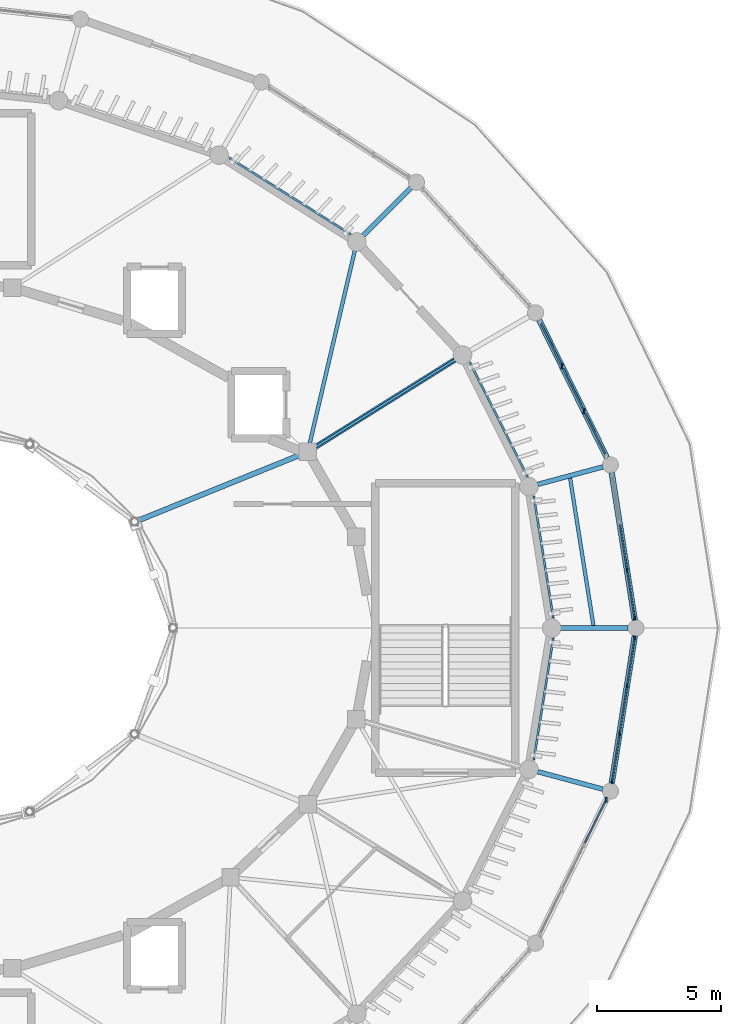
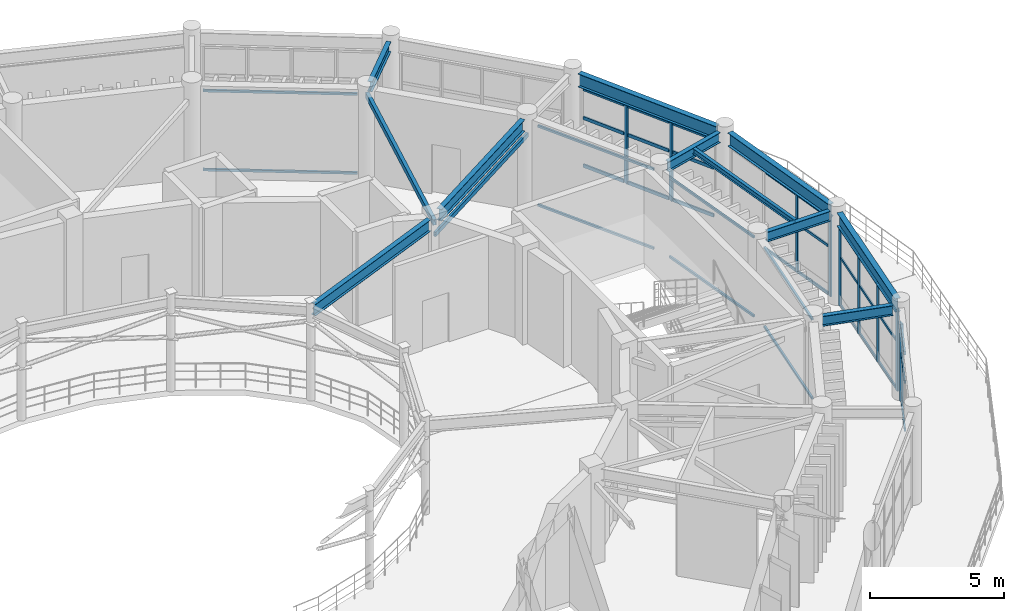
# One storey, part 16 of 45: 46 members, 10 beams, 4 elements without a shape of their own.
"""IFC4 building model written with IfcOpenShell, lengths in metres."""

from ifc_helpers import new_model, si_unit, direction, frame, origin, origin_2d, place, context, subcontext, project, spatial, rectangle, hollow_rectangle, i_section, extrude, material, material_profile, profile_set, type_object, element, aggregate, save


model = new_model("IFC4")

# Units and contexts
model_context = context("Model", 3, precision=1e-05, world=origin(), true_north=direction((0.0, 1.0)))
body_context = subcontext(model_context, "Body", "Model", "MODEL_VIEW")
ifc_project = project(units=[si_unit("LENGTHUNIT", "METRE"), si_unit("AREAUNIT", "SQUARE_METRE"), si_unit("VOLUMEUNIT", "CUBIC_METRE"), si_unit("PLANEANGLEUNIT", "RADIAN"), si_unit("MASSUNIT", "GRAM", prefix="KILO")], contexts=[model_context])

# Site, building, storey
site_placement = place(None, origin())
site = spatial("IfcSite", under=ifc_project, at=site_placement, CompositionType="ELEMENT")
building_placement = place(site_placement, origin())
building = spatial("IfcBuilding", under=site, at=building_placement, Name="Cinderbank Siding Concert Hall", CompositionType="ELEMENT")
storey_placement = place(building_placement, frame((0.0, 0.0, 19.199951171875)))
storey = spatial("IfcBuildingStorey", under=building, at=storey_placement, Name="L05", CompositionType="ELEMENT", Elevation=19.199951171875)

# Beams
ifc_material_1 = material(Name="Structural steel AS/NZS 3679.1 Grade 350 (340 MPa)", Category="steel")
ifc_material_profile_1 = material_profile(ifc_material_1, i_section(OverallWidth=0.19091796875, OverallDepth=0.46044921875, WebThickness=0.010009765625, FlangeThickness=0.01611328125, at=origin_2d()), Name="460UB82.1", Category="LoadBearing")
ifc_profile_set_1 = profile_set([ifc_material_profile_1], Name="Structural steel AS/NZS 3679.1 Grade 350 (340 MPa)")
beam_type_1 = type_object("IfcBeamType", Name="BM-UB460H 460UB82.1", PredefinedType="BEAM", material=ifc_profile_set_1)
for number, where, z_axis, x_axis, name in (
    (1, (149.1669921875, 44.0, 4.001953125), (1.0, 0.0, 0.0), (0.0, 1.0, 0.0), "L05 Beam BM-UB460H #794"),
    (2, (148.2412109375, 49.7890625, 4.001953125), (0.965934410535, 0.258787006135, 0.0), (-0.258787006135, 0.965934410535, 0.0), "L05 Beam BM-UB460H #795"),
    (3, (141.2099609375, 59.81591796875, 4.001953125), (0.707151723938, 0.707061835578, 0.0), (-0.707061835578, 0.707151723938, 0.0), "L05 Beam BM-UB460H #798"),
    (4, (148.2412109375, 38.2109375, 4.001953125), (0.965934410535, -0.258787006135, 0.0), (0.258787006135, 0.965934410535, 0.0), "L05 Beam BM-UB460H #816"),
):
    element("IfcBeam", number, at=place(storey_placement, frame(where, z_axis=z_axis, x_axis=x_axis)), inside=storey, type_object=beam_type_1, Name=name, PredefinedType="BEAM", context=body_context, shape_type="SweptSolid", body=[
        extrude(i_section(OverallWidth=0.19091796875, OverallDepth=0.46044921875, WebThickness=0.010009765625, FlangeThickness=0.01611328125, at=origin_2d()), origin(), (0.0, 0.0, 1.0), 2.716064453125),
    ])
ifc_material_profile_2 = material_profile(ifc_material_1, i_section(OverallWidth=0.208984375, OverallDepth=0.5283203125, WebThickness=0.009521484375, FlangeThickness=0.01318359375, at=origin_2d()), Name="530UB82.0", Category="LoadBearing")
ifc_profile_set_2 = profile_set([ifc_material_profile_2], Name="Structural steel AS/NZS 3679.1 Grade 350 (340 MPa)")
beam_type_2 = type_object("IfcBeamType", Name="BM-UB530 530UB82.0", PredefinedType="BEAM", material=ifc_profile_set_2)
beam_1_placement = place(storey_placement, frame((132.145263671875, 48.332763671875, 3.988037109375), z_axis=(0.926787327391, 0.375586541008, 0.0), x_axis=(-0.375586541008, 0.926787327391, 0.0)))
element("IfcBeam", 5, at=beam_1_placement, inside=storey, type_object=beam_type_2, Name="L05 Beam BM-UB530 #210", PredefinedType="BEAM", context=body_context, shape_type="SweptSolid", body=[
    extrude(i_section(OverallWidth=0.208984375, OverallDepth=0.5283203125, WebThickness=0.009521484375, FlangeThickness=0.01318359375, at=origin_2d()), origin(), (0.0, 0.0, 1.0), 7.026123046875),
])
ifc_material_profile_3 = material_profile(ifc_material_1, i_section(OverallWidth=0.208984375, OverallDepth=0.532958984375, WebThickness=0.01025390625, FlangeThickness=0.015625, at=origin_2d()), Name="530UB92.4", Category="LoadBearing")
ifc_profile_set_3 = profile_set([ifc_material_profile_3], Name="Structural steel AS/NZS 3679.1 Grade 350 (340 MPa)")
beam_type_3 = type_object("IfcBeamType", Name="BM-UB530H 530UB92.4", PredefinedType="BEAM", material=ifc_profile_set_3)
beam_2_placement = place(storey_placement, frame((139.26416015625, 51.281494140625, 4.015625), z_axis=(0.84781868984, 0.530286214376, 0.0), x_axis=(-0.530286214376, 0.84781868984, 0.0)))
element("IfcBeam", 6, at=beam_2_placement, inside=storey, type_object=beam_type_3, Name="L05 Beam BM-UB530H #783", PredefinedType="BEAM", context=body_context, shape_type="SweptSolid", body=[
    extrude(i_section(OverallWidth=0.208984375, OverallDepth=0.532958984375, WebThickness=0.01025390625, FlangeThickness=0.015625, at=origin_2d()), origin(), (0.0, 0.0, 1.0), 6.645263671875),
])
ifc_material_profile_4 = material_profile(ifc_material_1, i_section(OverallWidth=0.22802734375, OverallDepth=0.60693359375, WebThickness=0.01123046875, FlangeThickness=0.017333984375, at=origin_2d()), Name="610UB113", Category="LoadBearing")
ifc_profile_set_4 = profile_set([ifc_material_profile_4], Name="Structural steel AS/NZS 3679.1 Grade 350 (340 MPa)")
beam_type_4 = type_object("IfcBeamType", Name="BM-UB610M 610UB113", PredefinedType="BEAM", material=ifc_profile_set_4)
beam_3_placement = place(storey_placement, frame((152.15087890625, 44.313232421875, 3.928466796875), z_axis=(-0.154637914322, 0.987971211855, 0.0), x_axis=(-0.987971211855, -0.154637914322, 0.0)))
element("IfcBeam", 7, at=beam_3_placement, inside=storey, type_object=beam_type_4, Name="L05 Beam BM-UB610M #759", PredefinedType="BEAM", context=body_context, shape_type="SweptSolid", body=[
    extrude(i_section(OverallWidth=0.22802734375, OverallDepth=0.60693359375, WebThickness=0.01123046875, FlangeThickness=0.017333984375, at=origin_2d()), origin(), (0.0, 0.0, 1.0), 6.02001953125),
])
beam_4_placement = place(storey_placement, frame((151.031005859375, 50.8583984375, 3.928466796875), z_axis=(-0.441813843649, 0.897106753714, 0.0), x_axis=(-0.897106753714, -0.441813843649, 0.0)))
element("IfcBeam", 8, at=beam_4_placement, inside=storey, type_object=beam_type_4, Name="L05 Beam BM-UB610M #760", PredefinedType="BEAM", context=body_context, shape_type="SweptSolid", body=[
    extrude(i_section(OverallWidth=0.22802734375, OverallDepth=0.60693359375, WebThickness=0.01123046875, FlangeThickness=0.017333984375, at=origin_2d()), origin(), (0.0, 0.0, 1.0), 6.194580078125),
])
beam_5_placement = place(storey_placement, frame((151.219970703125, 37.7392578125, 3.928466796875), z_axis=(0.154637914322, 0.987971211855, 0.0), x_axis=(-0.987971211855, 0.154637914322, 0.0)))
element("IfcBeam", 9, at=beam_5_placement, inside=storey, type_object=beam_type_4, Name="L05 Beam BM-UB610M #782", PredefinedType="BEAM", context=body_context, shape_type="SweptSolid", body=[
    extrude(i_section(OverallWidth=0.22802734375, OverallDepth=0.60693359375, WebThickness=0.01123046875, FlangeThickness=0.017333984375, at=origin_2d()), origin(), (0.0, 0.0, 1.0), 6.02001953125),
])

# Curtain wall, members
ifc_material_2 = material(Name="Anodised aluminium alloy 6063-T6", Category="aluminium")
curtain_wall_type_1 = type_object("IfcCurtainWallType", Name="CW-09 Unitised Acoustic Curtain Wall 8000x3500", PredefinedType="NOTDEFINED", material=ifc_material_2)
curtain_wall_1_placement = place(storey_placement, origin())
curtain_wall_1 = element("IfcCurtainWall", 10, at=curtain_wall_1_placement, inside=storey, type_object=curtain_wall_type_1, Name="L05 Curtain Wall CW-09 #72", PredefinedType="NOTDEFINED")
ifc_material_profile_5 = material_profile(ifc_material_2, rectangle(XDim=0.06005859375, YDim=0.159912109375, at=origin_2d()), Name="ALU-MULL-60x160", Category="LoadBearing")
ifc_profile_set_5 = profile_set([ifc_material_profile_5], Name="Anodised aluminium alloy 6063-T6")
member_type_1 = type_object("IfcMemberType", Name="CW-ML1 Mullion 60x160", PredefinedType="MULLION", material=ifc_profile_set_5)
member_1_placement = place(storey_placement, frame((152.1396484375, 44.38525390625, 0.0), z_axis=(0.0, 0.0, 1.0), x_axis=(1.0, 0.0, 0.0)))
member_1 = element("IfcMember", 11, at=member_1_placement, type_object=member_type_1, Name="CW-L05-072 Mullion 0", PredefinedType="MULLION", context=body_context, shape_type="SweptSolid", body=[
    extrude(rectangle(XDim=0.06005859375, YDim=0.159912109375, at=origin_2d()), origin(), (0.0, 0.0, 1.0), 3.610107421875),
])
member_2_placement = place(storey_placement, frame((151.8369140625, 46.31982421875, 0.0), z_axis=(0.0, 0.0, 1.0), x_axis=(1.0, 0.0, 0.0)))
member_2 = element("IfcMember", 12, at=member_2_placement, type_object=member_type_1, Name="CW-L05-072 Mullion 1", PredefinedType="MULLION", context=body_context, shape_type="SweptSolid", body=[
    extrude(rectangle(XDim=0.06005859375, YDim=0.159912109375, at=origin_2d()), origin(), (0.0, 0.0, 1.0), 3.610107421875),
])

curtain_wall_type_2 = type_object("IfcCurtainWallType", Name="CW-12 Unitised Acoustic Curtain Wall 5800x3500", PredefinedType="NOTDEFINED", material=ifc_material_2)
curtain_wall_2_placement = place(storey_placement, origin())
curtain_wall_2 = element("IfcCurtainWall", 13, at=curtain_wall_2_placement, inside=storey, type_object=curtain_wall_type_2, Name="L05 Curtain Wall CW-12 #92", PredefinedType="NOTDEFINED")
member_3_placement = place(storey_placement, frame((151.231201171875, 37.811279296875, 0.0), z_axis=(0.0, 0.0, 1.0), x_axis=(1.0, 0.0, 0.0)))
member_3 = element("IfcMember", 14, at=member_3_placement, type_object=member_type_1, Name="CW-L05-092 Mullion 0", PredefinedType="MULLION", context=body_context, shape_type="SweptSolid", body=[
    extrude(rectangle(XDim=0.06005859375, YDim=0.159912109375, at=origin_2d()), origin(), (0.0, 0.0, 1.0), 3.610107421875),
])
member_4_placement = place(storey_placement, frame((151.5341796875, 39.745849609375, 0.0), z_axis=(0.0, 0.0, 1.0), x_axis=(1.0, 0.0, 0.0)))
member_4 = element("IfcMember", 15, at=member_4_placement, type_object=member_type_1, Name="CW-L05-092 Mullion 1", PredefinedType="MULLION", context=body_context, shape_type="SweptSolid", body=[
    extrude(rectangle(XDim=0.06005859375, YDim=0.159912109375, at=origin_2d()), origin(), (0.0, 0.0, 1.0), 3.610107421875),
])
member_5_placement = place(storey_placement, frame((151.8369140625, 41.68017578125, 0.0), z_axis=(0.0, 0.0, 1.0), x_axis=(1.0, 0.0, 0.0)))
member_5 = element("IfcMember", 16, at=member_5_placement, type_object=member_type_1, Name="CW-L05-092 Mullion 2", PredefinedType="MULLION", context=body_context, shape_type="SweptSolid", body=[
    extrude(rectangle(XDim=0.06005859375, YDim=0.159912109375, at=origin_2d()), origin(), (0.0, 0.0, 1.0), 3.610107421875),
])
member_6_placement = place(storey_placement, frame((152.1396484375, 43.61474609375, 0.0), z_axis=(0.0, 0.0, 1.0), x_axis=(1.0, 0.0, 0.0)))
member_6 = element("IfcMember", 17, at=member_6_placement, type_object=member_type_1, Name="CW-L05-092 Mullion 3", PredefinedType="MULLION", context=body_context, shape_type="SweptSolid", body=[
    extrude(rectangle(XDim=0.06005859375, YDim=0.159912109375, at=origin_2d()), origin(), (0.0, 0.0, 1.0), 3.610107421875),
])

curtain_wall_type_3 = type_object("IfcCurtainWallType", Name="CW-10 Unitised Acoustic Curtain Wall 7200x3500", PredefinedType="NOTDEFINED", material=ifc_material_2)
curtain_wall_3_placement = place(storey_placement, origin())
curtain_wall_3 = element("IfcCurtainWall", 18, at=curtain_wall_3_placement, inside=storey, type_object=curtain_wall_type_3, Name="L05 Curtain Wall CW-10 #73", PredefinedType="NOTDEFINED")
ifc_material_profile_6 = material_profile(ifc_material_2, rectangle(XDim=0.06494140625, YDim=0.199951171875, at=origin_2d()), Name="ALU-MULL-65x200", Category="LoadBearing")
ifc_profile_set_6 = profile_set([ifc_material_profile_6], Name="Anodised aluminium alloy 6063-T6")
member_type_2 = type_object("IfcMemberType", Name="CW-ML2 Mullion 65x200", PredefinedType="MULLION", material=ifc_profile_set_6)
member_7_placement = place(storey_placement, frame((150.10791015625, 52.732666015625, 0.0), z_axis=(0.0, 0.0, 1.0), x_axis=(1.0, 0.0, 0.0)))
member_7 = element("IfcMember", 19, at=member_7_placement, type_object=member_type_2, Name="CW-L05-073 Mullion 1", PredefinedType="MULLION", context=body_context, shape_type="SweptSolid", body=[
    extrude(rectangle(XDim=0.06494140625, YDim=0.199951171875, at=origin_2d()), origin(), (0.0, 0.0, 1.0), 3.610107421875),
])
member_8_placement = place(storey_placement, frame((149.217041015625, 54.54150390625, 0.0), z_axis=(0.0, 0.0, 1.0), x_axis=(1.0, 0.0, 0.0)))
member_8 = element("IfcMember", 20, at=member_8_placement, type_object=member_type_2, Name="CW-L05-073 Mullion 2", PredefinedType="MULLION", context=body_context, shape_type="SweptSolid", body=[
    extrude(rectangle(XDim=0.06494140625, YDim=0.199951171875, at=origin_2d()), origin(), (0.0, 0.0, 1.0), 3.610107421875),
])

# Curtain wall, member
curtain_wall_type_4 = type_object("IfcCurtainWallType", Name="CW-11 Unitised Acoustic Curtain Wall 6600x3500", PredefinedType="NOTDEFINED", material=ifc_material_2)
curtain_wall_4_placement = place(storey_placement, origin())
curtain_wall_4 = element("IfcCurtainWall", 21, at=curtain_wall_4_placement, inside=storey, type_object=curtain_wall_type_4, Name="L05 Curtain Wall CW-11 #91", PredefinedType="NOTDEFINED")
member_9_placement = place(storey_placement, frame((150.998779296875, 37.076171875, 0.0), z_axis=(0.0, 0.0, 1.0), x_axis=(1.0, 0.0, 0.0)))
member_9 = element("IfcMember", 22, at=member_9_placement, type_object=member_type_2, Name="CW-L05-091 Mullion 3", PredefinedType="MULLION", context=body_context, shape_type="SweptSolid", body=[
    extrude(rectangle(XDim=0.06494140625, YDim=0.199951171875, at=origin_2d()), origin(), (0.0, 0.0, 1.0), 3.610107421875),
])

# Member
ifc_material_profile_7 = material_profile(ifc_material_2, rectangle(XDim=0.06005859375, YDim=0.1201171875, at=origin_2d()), Name="ALU-TRAN-60x120", Category="LoadBearing")
ifc_profile_set_7 = profile_set([ifc_material_profile_7], Name="Anodised aluminium alloy 6063-T6")
member_type_3 = type_object("IfcMemberType", Name="CW-TR1 Transom 60x120", PredefinedType="USERDEFINED", material=ifc_profile_set_7)
member_10_placement = place(storey_placement, frame((152.12451171875, 44.48193359375, 0.06005859375), z_axis=(-0.154617780003, 0.987974363082, 0.0), x_axis=(-0.987974363082, -0.154617780003, 0.0)))
member_10 = element("IfcMember", 23, at=member_10_placement, type_object=member_type_3, Name="CW-L05-072 Transom 0-0", ObjectType="TRANSOM", PredefinedType="USERDEFINED", context=body_context, shape_type="SweptSolid", body=[
    extrude(rectangle(XDim=0.06005859375, YDim=0.1201171875, at=origin_2d()), origin(), (0.0, 0.0, 1.0), 1.76220703125),
])

member_11_placement = place(storey_placement, frame((152.12451171875, 44.48193359375, 2.23828125), z_axis=(-0.154617780003, 0.987974363082, 0.0), x_axis=(-0.987974363082, -0.154617780003, 0.0)))
member_11 = element("IfcMember", 24, at=member_11_placement, type_object=member_type_3, Name="CW-L05-072 Transom 0-1", ObjectType="TRANSOM", PredefinedType="USERDEFINED", context=body_context, shape_type="SweptSolid", body=[
    extrude(rectangle(XDim=0.06005859375, YDim=0.1201171875, at=origin_2d()), origin(), (0.0, 0.0, 1.0), 1.76220703125),
])

member_12_placement = place(storey_placement, frame((152.12451171875, 44.48193359375, 3.550048828125), z_axis=(-0.154617780003, 0.987974363082, 0.0), x_axis=(-0.987974363082, -0.154617780003, 0.0)))
member_12 = element("IfcMember", 25, at=member_12_placement, type_object=member_type_3, Name="CW-L05-072 Transom 0-2", ObjectType="TRANSOM", PredefinedType="USERDEFINED", context=body_context, shape_type="SweptSolid", body=[
    extrude(rectangle(XDim=0.06005859375, YDim=0.1201171875, at=origin_2d()), origin(), (0.0, 0.0, 1.0), 1.76220703125),
])

member_13_placement = place(storey_placement, frame((151.82177734375, 46.41650390625, 0.06005859375), z_axis=(-0.154617780003, 0.987974363082, 0.0), x_axis=(-0.987974363082, -0.154617780003, 0.0)))
member_13 = element("IfcMember", 26, at=member_13_placement, type_object=member_type_3, Name="CW-L05-072 Transom 1-0", ObjectType="TRANSOM", PredefinedType="USERDEFINED", context=body_context, shape_type="SweptSolid", body=[
    extrude(rectangle(XDim=0.06005859375, YDim=0.1201171875, at=origin_2d()), origin(), (0.0, 0.0, 1.0), 1.76220703125),
])

member_14_placement = place(storey_placement, frame((151.82177734375, 46.41650390625, 2.23828125), z_axis=(-0.154617780003, 0.987974363082, 0.0), x_axis=(-0.987974363082, -0.154617780003, 0.0)))
member_14 = element("IfcMember", 27, at=member_14_placement, type_object=member_type_3, Name="CW-L05-072 Transom 1-1", ObjectType="TRANSOM", PredefinedType="USERDEFINED", context=body_context, shape_type="SweptSolid", body=[
    extrude(rectangle(XDim=0.06005859375, YDim=0.1201171875, at=origin_2d()), origin(), (0.0, 0.0, 1.0), 1.76220703125),
])

member_15_placement = place(storey_placement, frame((151.82177734375, 46.41650390625, 3.550048828125), z_axis=(-0.154617780003, 0.987974363082, 0.0), x_axis=(-0.987974363082, -0.154617780003, 0.0)))
member_15 = element("IfcMember", 28, at=member_15_placement, type_object=member_type_3, Name="CW-L05-072 Transom 1-2", ObjectType="TRANSOM", PredefinedType="USERDEFINED", context=body_context, shape_type="SweptSolid", body=[
    extrude(rectangle(XDim=0.06005859375, YDim=0.1201171875, at=origin_2d()), origin(), (0.0, 0.0, 1.0), 1.76220703125),
])

aggregate(curtain_wall_1, [member_1, member_2, member_10, member_11, member_12, member_13, member_14, member_15])

member_16_placement = place(storey_placement, frame((151.24658203125, 37.907958984375, 0.06005859375), z_axis=(0.154617780003, 0.987974363082, 0.0), x_axis=(-0.987974363082, 0.154617780003, 0.0)))
member_16 = element("IfcMember", 29, at=member_16_placement, type_object=member_type_3, Name="CW-L05-092 Transom 0-0", ObjectType="TRANSOM", PredefinedType="USERDEFINED", context=body_context, shape_type="SweptSolid", body=[
    extrude(rectangle(XDim=0.06005859375, YDim=0.1201171875, at=origin_2d()), origin(), (0.0, 0.0, 1.0), 1.76220703125),
])

member_17_placement = place(storey_placement, frame((151.24658203125, 37.907958984375, 2.23828125), z_axis=(0.154617780003, 0.987974363082, 0.0), x_axis=(-0.987974363082, 0.154617780003, 0.0)))
member_17 = element("IfcMember", 30, at=member_17_placement, type_object=member_type_3, Name="CW-L05-092 Transom 0-1", ObjectType="TRANSOM", PredefinedType="USERDEFINED", context=body_context, shape_type="SweptSolid", body=[
    extrude(rectangle(XDim=0.06005859375, YDim=0.1201171875, at=origin_2d()), origin(), (0.0, 0.0, 1.0), 1.76220703125),
])

member_18_placement = place(storey_placement, frame((151.24658203125, 37.907958984375, 3.550048828125), z_axis=(0.154617780003, 0.987974363082, 0.0), x_axis=(-0.987974363082, 0.154617780003, 0.0)))
member_18 = element("IfcMember", 31, at=member_18_placement, type_object=member_type_3, Name="CW-L05-092 Transom 0-2", ObjectType="TRANSOM", PredefinedType="USERDEFINED", context=body_context, shape_type="SweptSolid", body=[
    extrude(rectangle(XDim=0.06005859375, YDim=0.1201171875, at=origin_2d()), origin(), (0.0, 0.0, 1.0), 1.76220703125),
])

member_19_placement = place(storey_placement, frame((151.54931640625, 39.842529296875, 0.06005859375), z_axis=(0.154617780003, 0.987974363082, 0.0), x_axis=(-0.987974363082, 0.154617780003, 0.0)))
member_19 = element("IfcMember", 32, at=member_19_placement, type_object=member_type_3, Name="CW-L05-092 Transom 1-0", ObjectType="TRANSOM", PredefinedType="USERDEFINED", context=body_context, shape_type="SweptSolid", body=[
    extrude(rectangle(XDim=0.06005859375, YDim=0.1201171875, at=origin_2d()), origin(), (0.0, 0.0, 1.0), 1.76220703125),
])

member_20_placement = place(storey_placement, frame((151.54931640625, 39.842529296875, 2.23828125), z_axis=(0.154617780003, 0.987974363082, 0.0), x_axis=(-0.987974363082, 0.154617780003, 0.0)))
member_20 = element("IfcMember", 33, at=member_20_placement, type_object=member_type_3, Name="CW-L05-092 Transom 1-1", ObjectType="TRANSOM", PredefinedType="USERDEFINED", context=body_context, shape_type="SweptSolid", body=[
    extrude(rectangle(XDim=0.06005859375, YDim=0.1201171875, at=origin_2d()), origin(), (0.0, 0.0, 1.0), 1.76220703125),
])

member_21_placement = place(storey_placement, frame((151.54931640625, 39.842529296875, 3.550048828125), z_axis=(0.154617780003, 0.987974363082, 0.0), x_axis=(-0.987974363082, 0.154617780003, 0.0)))
member_21 = element("IfcMember", 34, at=member_21_placement, type_object=member_type_3, Name="CW-L05-092 Transom 1-2", ObjectType="TRANSOM", PredefinedType="USERDEFINED", context=body_context, shape_type="SweptSolid", body=[
    extrude(rectangle(XDim=0.06005859375, YDim=0.1201171875, at=origin_2d()), origin(), (0.0, 0.0, 1.0), 1.76220703125),
])

member_22_placement = place(storey_placement, frame((151.85205078125, 41.777099609375, 0.06005859375), z_axis=(0.154617780003, 0.987974363082, 0.0), x_axis=(-0.987974363082, 0.154617780003, 0.0)))
member_22 = element("IfcMember", 35, at=member_22_placement, type_object=member_type_3, Name="CW-L05-092 Transom 2-0", ObjectType="TRANSOM", PredefinedType="USERDEFINED", context=body_context, shape_type="SweptSolid", body=[
    extrude(rectangle(XDim=0.06005859375, YDim=0.1201171875, at=origin_2d()), origin(), (0.0, 0.0, 1.0), 1.76220703125),
])

member_23_placement = place(storey_placement, frame((151.85205078125, 41.777099609375, 2.23828125), z_axis=(0.154617780003, 0.987974363082, 0.0), x_axis=(-0.987974363082, 0.154617780003, 0.0)))
member_23 = element("IfcMember", 36, at=member_23_placement, type_object=member_type_3, Name="CW-L05-092 Transom 2-1", ObjectType="TRANSOM", PredefinedType="USERDEFINED", context=body_context, shape_type="SweptSolid", body=[
    extrude(rectangle(XDim=0.06005859375, YDim=0.1201171875, at=origin_2d()), origin(), (0.0, 0.0, 1.0), 1.76220703125),
])

member_24_placement = place(storey_placement, frame((151.85205078125, 41.777099609375, 3.550048828125), z_axis=(0.154617780003, 0.987974363082, 0.0), x_axis=(-0.987974363082, 0.154617780003, 0.0)))
member_24 = element("IfcMember", 37, at=member_24_placement, type_object=member_type_3, Name="CW-L05-092 Transom 2-2", ObjectType="TRANSOM", PredefinedType="USERDEFINED", context=body_context, shape_type="SweptSolid", body=[
    extrude(rectangle(XDim=0.06005859375, YDim=0.1201171875, at=origin_2d()), origin(), (0.0, 0.0, 1.0), 1.76220703125),
])

aggregate(curtain_wall_2, [member_3, member_4, member_5, member_6, member_16, member_17, member_18, member_19, member_20, member_21, member_22, member_23, member_24])

ifc_material_profile_8 = material_profile(ifc_material_2, rectangle(XDim=0.06494140625, YDim=0.14990234375, at=origin_2d()), Name="ALU-TRAN-65x150", Category="LoadBearing")
ifc_profile_set_8 = profile_set([ifc_material_profile_8], Name="Anodised aluminium alloy 6063-T6")
member_type_4 = type_object("IfcMemberType", Name="CW-TR2 Transom 65x150", PredefinedType="USERDEFINED", material=ifc_profile_set_8)
member_25_placement = place(storey_placement, frame((150.9541015625, 51.014404296875, 0.06005859375), z_axis=(-0.441877297725, 0.897075500588, 0.0), x_axis=(-0.897075500588, -0.441877297725, 0.0)))
member_25 = element("IfcMember", 38, at=member_25_placement, type_object=member_type_4, Name="CW-L05-073 Transom 0-0", ObjectType="TRANSOM", PredefinedType="USERDEFINED", context=body_context, shape_type="SweptSolid", body=[
    extrude(rectangle(XDim=0.06494140625, YDim=0.14990234375, at=origin_2d()), origin(), (0.0, 0.0, 1.0), 1.814453125),
])

member_26_placement = place(storey_placement, frame((150.9541015625, 51.014404296875, 2.23828125), z_axis=(-0.441877297725, 0.897075500588, 0.0), x_axis=(-0.897075500588, -0.441877297725, 0.0)))
member_26 = element("IfcMember", 39, at=member_26_placement, type_object=member_type_4, Name="CW-L05-073 Transom 0-1", ObjectType="TRANSOM", PredefinedType="USERDEFINED", context=body_context, shape_type="SweptSolid", body=[
    extrude(rectangle(XDim=0.06494140625, YDim=0.14990234375, at=origin_2d()), origin(), (0.0, 0.0, 1.0), 1.814453125),
])

member_27_placement = place(storey_placement, frame((150.9541015625, 51.014404296875, 3.550048828125), z_axis=(-0.441877297725, 0.897075500588, 0.0), x_axis=(-0.897075500588, -0.441877297725, 0.0)))
member_27 = element("IfcMember", 40, at=member_27_placement, type_object=member_type_4, Name="CW-L05-073 Transom 0-2", ObjectType="TRANSOM", PredefinedType="USERDEFINED", context=body_context, shape_type="SweptSolid", body=[
    extrude(rectangle(XDim=0.06494140625, YDim=0.14990234375, at=origin_2d()), origin(), (0.0, 0.0, 1.0), 1.814453125),
])

member_28_placement = place(storey_placement, frame((150.0634765625, 52.822998046875, 0.06005859375), z_axis=(-0.441823966303, 0.897101768363, 0.0), x_axis=(-0.897101768363, -0.441823966303, 0.0)))
member_28 = element("IfcMember", 41, at=member_28_placement, type_object=member_type_4, Name="CW-L05-073 Transom 1-0", ObjectType="TRANSOM", PredefinedType="USERDEFINED", context=body_context, shape_type="SweptSolid", body=[
    extrude(rectangle(XDim=0.06494140625, YDim=0.14990234375, at=origin_2d()), origin(), (0.0, 0.0, 1.0), 1.814697265625),
])

member_29_placement = place(storey_placement, frame((150.0634765625, 52.822998046875, 2.23828125), z_axis=(-0.441823966303, 0.897101768363, 0.0), x_axis=(-0.897101768363, -0.441823966303, 0.0)))
member_29 = element("IfcMember", 42, at=member_29_placement, type_object=member_type_4, Name="CW-L05-073 Transom 1-1", ObjectType="TRANSOM", PredefinedType="USERDEFINED", context=body_context, shape_type="SweptSolid", body=[
    extrude(rectangle(XDim=0.06494140625, YDim=0.14990234375, at=origin_2d()), origin(), (0.0, 0.0, 1.0), 1.814697265625),
])

member_30_placement = place(storey_placement, frame((150.0634765625, 52.822998046875, 3.550048828125), z_axis=(-0.441823966303, 0.897101768363, 0.0), x_axis=(-0.897101768363, -0.441823966303, 0.0)))
member_30 = element("IfcMember", 43, at=member_30_placement, type_object=member_type_4, Name="CW-L05-073 Transom 1-2", ObjectType="TRANSOM", PredefinedType="USERDEFINED", context=body_context, shape_type="SweptSolid", body=[
    extrude(rectangle(XDim=0.06494140625, YDim=0.14990234375, at=origin_2d()), origin(), (0.0, 0.0, 1.0), 1.814697265625),
])

member_31_placement = place(storey_placement, frame((149.172607421875, 54.6318359375, 0.06005859375), z_axis=(-0.441823966303, 0.897101768363, 0.0), x_axis=(-0.897101768363, -0.441823966303, 0.0)))
member_31 = element("IfcMember", 44, at=member_31_placement, type_object=member_type_4, Name="CW-L05-073 Transom 2-0", ObjectType="TRANSOM", PredefinedType="USERDEFINED", context=body_context, shape_type="SweptSolid", body=[
    extrude(rectangle(XDim=0.06494140625, YDim=0.14990234375, at=origin_2d()), origin(), (0.0, 0.0, 1.0), 1.814697265625),
])

member_32_placement = place(storey_placement, frame((149.172607421875, 54.6318359375, 2.23828125), z_axis=(-0.441823966303, 0.897101768363, 0.0), x_axis=(-0.897101768363, -0.441823966303, 0.0)))
member_32 = element("IfcMember", 45, at=member_32_placement, type_object=member_type_4, Name="CW-L05-073 Transom 2-1", ObjectType="TRANSOM", PredefinedType="USERDEFINED", context=body_context, shape_type="SweptSolid", body=[
    extrude(rectangle(XDim=0.06494140625, YDim=0.14990234375, at=origin_2d()), origin(), (0.0, 0.0, 1.0), 1.814697265625),
])

member_33_placement = place(storey_placement, frame((149.172607421875, 54.6318359375, 3.550048828125), z_axis=(-0.441823966303, 0.897101768363, 0.0), x_axis=(-0.897101768363, -0.441823966303, 0.0)))
member_33 = element("IfcMember", 46, at=member_33_placement, type_object=member_type_4, Name="CW-L05-073 Transom 2-2", ObjectType="TRANSOM", PredefinedType="USERDEFINED", context=body_context, shape_type="SweptSolid", body=[
    extrude(rectangle(XDim=0.06494140625, YDim=0.14990234375, at=origin_2d()), origin(), (0.0, 0.0, 1.0), 1.814697265625),
])

aggregate(curtain_wall_3, [member_7, member_8, member_25, member_26, member_27, member_28, member_29, member_30, member_31, member_32, member_33])

member_34_placement = place(storey_placement, frame((150.15234375, 35.35791015625, 0.06005859375), z_axis=(0.441877297725, 0.897075500588, 0.0), x_axis=(-0.897075500588, 0.441877297725, 0.0)))
member_34 = element("IfcMember", 47, at=member_34_placement, type_object=member_type_4, Name="CW-L05-091 Transom 2-0", ObjectType="TRANSOM", PredefinedType="USERDEFINED", context=body_context, shape_type="SweptSolid", body=[
    extrude(rectangle(XDim=0.06494140625, YDim=0.14990234375, at=origin_2d()), origin(), (0.0, 0.0, 1.0), 1.814453125),
])

member_35_placement = place(storey_placement, frame((150.15234375, 35.35791015625, 2.23828125), z_axis=(0.441877297725, 0.897075500588, 0.0), x_axis=(-0.897075500588, 0.441877297725, 0.0)))
member_35 = element("IfcMember", 48, at=member_35_placement, type_object=member_type_4, Name="CW-L05-091 Transom 2-1", ObjectType="TRANSOM", PredefinedType="USERDEFINED", context=body_context, shape_type="SweptSolid", body=[
    extrude(rectangle(XDim=0.06494140625, YDim=0.14990234375, at=origin_2d()), origin(), (0.0, 0.0, 1.0), 1.814453125),
])

member_36_placement = place(storey_placement, frame((150.15234375, 35.35791015625, 3.550048828125), z_axis=(0.441877297725, 0.897075500588, 0.0), x_axis=(-0.897075500588, 0.441877297725, 0.0)))
member_36 = element("IfcMember", 49, at=member_36_placement, type_object=member_type_4, Name="CW-L05-091 Transom 2-2", ObjectType="TRANSOM", PredefinedType="USERDEFINED", context=body_context, shape_type="SweptSolid", body=[
    extrude(rectangle(XDim=0.06494140625, YDim=0.14990234375, at=origin_2d()), origin(), (0.0, 0.0, 1.0), 1.814453125),
])

aggregate(curtain_wall_4, [member_9, member_34, member_35, member_36])

# Beam
ifc_material_profile_9 = material_profile(ifc_material_1, i_section(OverallWidth=0.14599609375, OverallDepth=0.251708984375, WebThickness=0.006103515625, FlangeThickness=0.008544921875, at=origin_2d()), Name="250UB31.4", Category="LoadBearing")
ifc_profile_set_9 = profile_set([ifc_material_profile_9], Name="Structural steel AS/NZS 3679.1 Grade 350 (340 MPa)")
beam_type_5 = type_object("IfcBeamType", Name="JS-UB250 250UB31.4", PredefinedType="JOIST", material=ifc_profile_set_9)
beam_6_placement = place(storey_placement, frame((150.486083984375, 44.08837890625, 4.106201171875), z_axis=(-0.156365807053, 0.987699212506, 0.0), x_axis=(-0.987699212506, -0.156365807053, 0.0)))
element("IfcBeam", 50, at=beam_6_placement, inside=storey, type_object=beam_type_5, Name="L05 Beam JS-UB250 #796", PredefinedType="JOIST", context=body_context, shape_type="SweptSolid", body=[
    extrude(i_section(OverallWidth=0.14599609375, OverallDepth=0.251708984375, WebThickness=0.006103515625, FlangeThickness=0.008544921875, at=origin_2d()), origin(), (0.0, 0.0, 1.0), 6.031494140625),
])

# Members
ifc_material_profile_10 = material_profile(ifc_material_2, rectangle(XDim=0.080078125, YDim=0.10009765625, at=origin_2d()), Name="ALU-RAIL-80x100", Category="LoadBearing")
ifc_profile_set_10 = profile_set([ifc_material_profile_10], Name="Anodised aluminium alloy 6063-T6")
member_type_5 = type_object("IfcMemberType", Name="LV-RL1 Carrier Rail 80x100", PredefinedType="STUD", material=ifc_profile_set_10)
for number, where, z_axis, x_axis, name in (
    (51, (148.867431640625, 44.39892578125, 0.219970703125), (-0.158322718802, 0.987387419765, 0.0), (-0.987387419765, -0.158322718802, 0.0), "L05 Louvre Carrier Rail 01 BOT"),
    (52, (148.867431640625, 44.39892578125, 3.820068359375), (-0.158322718802, 0.987387419765, 0.0), (-0.987387419765, -0.158322718802, 0.0), "L05 Louvre Carrier Rail 01 TOP"),
):
    element("IfcMember", number, at=place(storey_placement, frame(where, z_axis=z_axis, x_axis=x_axis)), inside=storey, type_object=member_type_5, Name=name, PredefinedType="STUD", context=body_context, shape_type="SweptSolid", body=[
        extrude(rectangle(XDim=0.080078125, YDim=0.10009765625, at=origin_2d()), origin(), (0.0, 0.0, 1.0), 4.987060546875),
    ])
for number, where, z_axis, x_axis, name in (
    (53, (147.834228515625, 50.083984375, 0.219970703125), (-0.450482714116, 0.892785150124, 0.0), (-0.892785150124, -0.450482714116, 0.0), "L05 Louvre Carrier Rail 02 BOT"),
    (54, (147.834228515625, 50.083984375, 3.820068359375), (-0.450482714116, 0.892785150124, 0.0), (-0.892785150124, -0.450482714116, 0.0), "L05 Louvre Carrier Rail 02 TOP"),
):
    element("IfcMember", number, at=place(storey_placement, frame(where, z_axis=z_axis, x_axis=x_axis)), inside=storey, type_object=member_type_5, Name=name, PredefinedType="STUD", context=body_context, shape_type="SweptSolid", body=[
        extrude(rectangle(XDim=0.080078125, YDim=0.10009765625, at=origin_2d()), origin(), (0.0, 0.0, 1.0), 5.1630859375),
    ])
for number, where, z_axis, x_axis, name in (
    (55, (140.709228515625, 59.859130859375, 0.219970703125), (-0.84612066394, 0.532991390225, 0.0), (-0.532991390225, -0.84612066394, 0.0), "L05 Louvre Carrier Rail 04 BOT"),
    (56, (140.709228515625, 59.859130859375, 3.820068359375), (-0.84612066394, 0.532991390225, 0.0), (-0.532991390225, -0.84612066394, 0.0), "L05 Louvre Carrier Rail 04 TOP"),
):
    element("IfcMember", number, at=place(storey_placement, frame(where, z_axis=z_axis, x_axis=x_axis)), inside=storey, type_object=member_type_5, Name=name, PredefinedType="STUD", context=body_context, shape_type="SweptSolid", body=[
        extrude(rectangle(XDim=0.080078125, YDim=0.10009765625, at=origin_2d()), origin(), (0.0, 0.0, 1.0), 5.77978515625),
    ])
for number, where, z_axis, x_axis, name in (
    (57, (148.077880859375, 38.677001953125, 0.219970703125), (0.158322718802, 0.987387419765, 0.0), (-0.987387419765, 0.158322718802, 0.0), "L05 Louvre Carrier Rail 24 BOT"),
    (58, (148.077880859375, 38.677001953125, 3.820068359375), (0.158322718802, 0.987387419765, 0.0), (-0.987387419765, 0.158322718802, 0.0), "L05 Louvre Carrier Rail 24 TOP"),
):
    element("IfcMember", number, at=place(storey_placement, frame(where, z_axis=z_axis, x_axis=x_axis)), inside=storey, type_object=member_type_5, Name=name, PredefinedType="STUD", context=body_context, shape_type="SweptSolid", body=[
        extrude(rectangle(XDim=0.080078125, YDim=0.10009765625, at=origin_2d()), origin(), (0.0, 0.0, 1.0), 4.987060546875),
    ])
ifc_material_3 = material(Name="Structural steel hollow section AS/NZS 1163 Grade C350L0 (350 MPa)", Category="steel")
ifc_material_profile_11 = material_profile(ifc_material_3, hollow_rectangle(XDim=0.10009765625, YDim=0.199951171875, WallThickness=0.008056640625, at=origin_2d()), Name="200x100x8.0RHS", Category="LoadBearing")
ifc_profile_set_11 = profile_set([ifc_material_profile_11], Name="Structural steel hollow section AS/NZS 1163 Grade C350L0 (350 MPa)")
member_type_6 = type_object("IfcMemberType", Name="PR-RHS200 200x100x8.0RHS Roof Truss", PredefinedType="PURLIN", material=ifc_profile_set_11)
member_37_placement = place(storey_placement, frame((138.97412109375, 51.10009765625, 3.340087890625), z_axis=(0.847826684568, 0.530273432235, 0.0), x_axis=(-0.530273432235, 0.847826684568, 0.0)))
element("IfcMember", 59, at=member_37_placement, inside=storey, type_object=member_type_6, Name="L05 Roof Truss Member PR-RHS200 #2301", PredefinedType="PURLIN", context=body_context, shape_type="SweptSolid", body=[
    extrude(hollow_rectangle(XDim=0.10009765625, YDim=0.199951171875, WallThickness=0.008056640625, at=origin_2d()), origin(), (0.0, 0.0, 1.0), 7.3544921875),
])
ifc_material_profile_12 = material_profile(ifc_material_3, hollow_rectangle(XDim=0.14990234375, YDim=0.25, WallThickness=0.009033203125, at=origin_2d()), Name="250x150x9.0RHS", Category="LoadBearing")
ifc_profile_set_12 = profile_set([ifc_material_profile_12], Name="Structural steel hollow section AS/NZS 1163 Grade C350L0 (350 MPa)")
member_type_7 = type_object("IfcMemberType", Name="TR-RHS250 250x150x9.0RHS Roof Truss", PredefinedType="RAFTER", material=ifc_profile_set_12)
member_38_placement = place(storey_placement, frame((138.97412109375, 51.10009765625, 3.880126953125), z_axis=(0.227577092084, 0.973760066525, 0.0), x_axis=(-0.973760066525, 0.227577092084, 0.0)))
element("IfcMember", 60, at=member_38_placement, inside=storey, type_object=member_type_7, Name="L05 Roof Truss Member TR-RHS250 #2300", PredefinedType="RAFTER", context=body_context, shape_type="SweptSolid", body=[
    extrude(hollow_rectangle(XDim=0.14990234375, YDim=0.25, WallThickness=0.009033203125, at=origin_2d()), origin(), (0.0, 0.0, 1.0), 8.68408203125),
])

save(model, "model.ifc")
